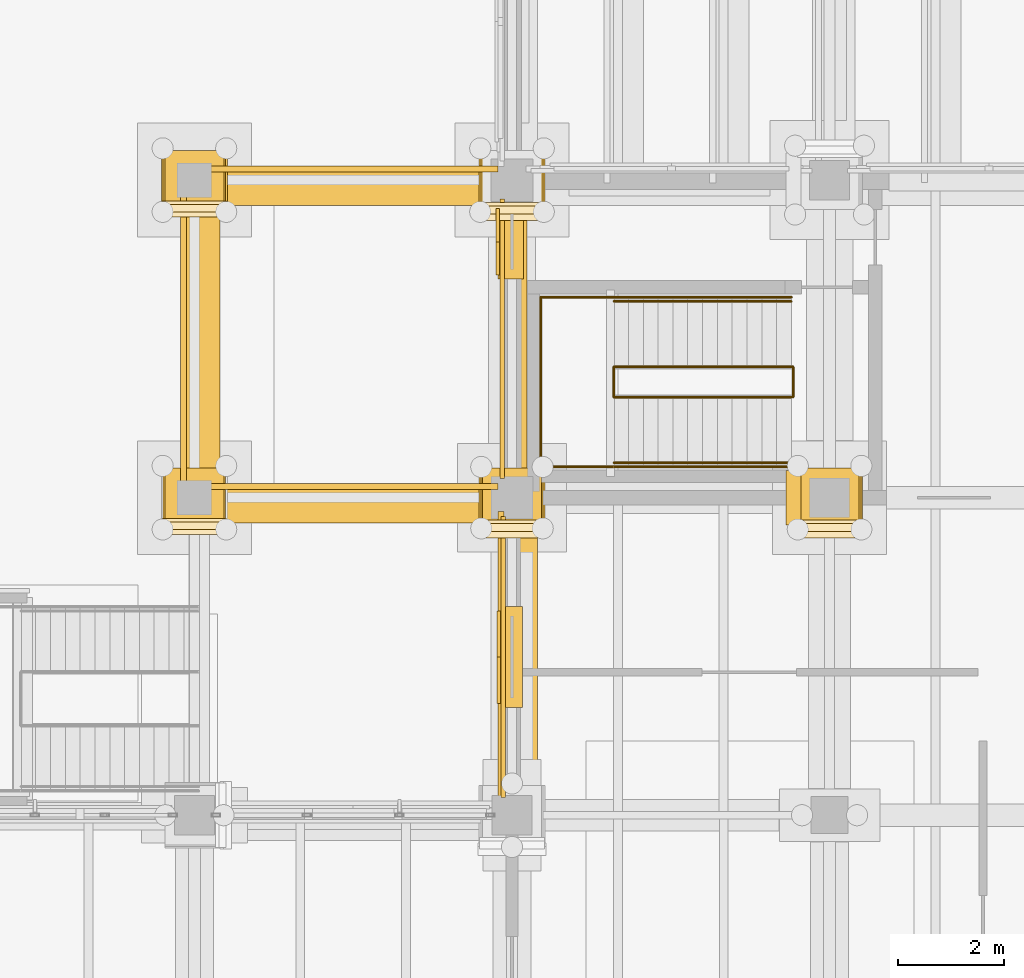
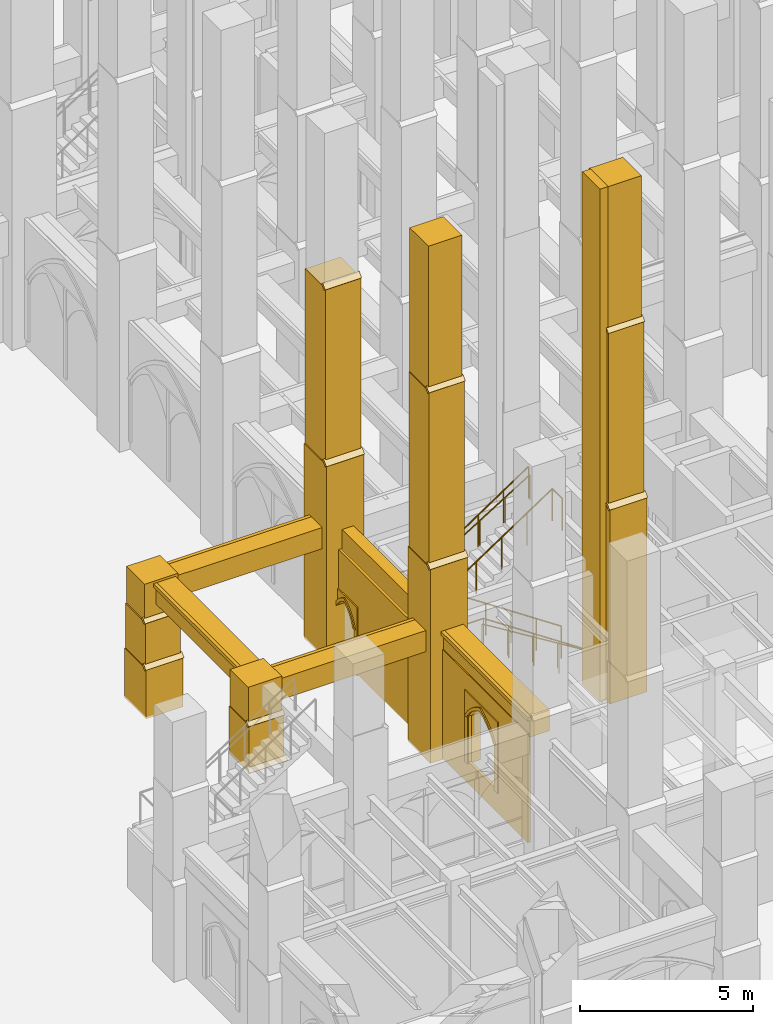
# One storey, part 106 of 135: 39 coverings, 6 railings.
"""IFC4 building model written with IfcOpenShell, lengths in metres."""

import ifcopenshell
import ifcopenshell.guid

model = None  # the IFC model being written
_history = None  # IfcOwnerHistory: only IFC2X3 demands one
_inside = {}  # id of a spatial element -> (the spatial element, [elements in it])
_under = {}  # id of a project, library or spatial element -> (it, [spatial elements below it])
_declared = {}  # id of a project -> (the project, [libraries it declares])
_typed = {}  # id of a type object -> (the type object, [elements of that type])
_made_of = {}  # id of a material, layer set ... -> (it, [elements and type objects made of it])


def new_model(schema):
    """Start an empty IFC model of exactly this schema.

    Asked for "IFC4X3", IfcOpenShell would pick the latest addendum, in which some entities
    have other attributes; the version numbers below select the first issue.
    IFC2X3 requires an IfcOwnerHistory on every rooted entity: one is made here for all.
    """
    global model, _history
    if schema == "IFC4X3":
        model = ifcopenshell.file(schema_version=(4, 3, 0, 0))
    else:
        model = ifcopenshell.file(schema=schema)
    _inside.clear()
    _under.clear()
    _declared.clear()
    _typed.clear()
    _made_of.clear()
    _history = None
    if model.schema == "IFC2X3":
        org = make("IfcOrganization", Name="unknown")
        user = make(
            "IfcPersonAndOrganization",
            ThePerson=make("IfcPerson", FamilyName="unknown"),
            TheOrganization=org,
        )
        app = make(
            "IfcApplication",
            ApplicationDeveloper=org,
            Version="unknown",
            ApplicationFullName="unknown",
            ApplicationIdentifier="unknown",
        )
        _history = make(
            "IfcOwnerHistory",
            OwningUser=user,
            OwningApplication=app,
            ChangeAction="ADDED",
            CreationDate=0,
        )
    return model


def make(cls, **values):
    """One entity of the class cls with the attributes given. An attribute that is None is left unset."""
    return model.create_entity(
        cls, **{name: value for name, value in values.items() if value is not None}
    )


def rooted(cls, **values):
    """An entity with a GlobalId (a new one), such as an element, a storey or a relation."""
    return make(cls, GlobalId=ifcopenshell.guid.new(), OwnerHistory=_history, **values)


def si_unit(unit_type, name, prefix=None):
    """IfcSIUnit, for example si_unit("LENGTHUNIT", "METRE", prefix="MILLI")."""
    return make("IfcSIUnit", UnitType=unit_type, Prefix=prefix, Name=name)


def assignment(units):
    """IfcUnitAssignment: the units of a project."""
    return None if units is None else make("IfcUnitAssignment", Units=units)


def point(xyz):
    """IfcCartesianPoint."""
    return None if xyz is None else make("IfcCartesianPoint", Coordinates=xyz)


def direction(xyz):
    """IfcDirection."""
    return None if xyz is None else make("IfcDirection", DirectionRatios=xyz)


def frame(location, z_axis=None, x_axis=None):
    """IfcAxis2Placement3D, a coordinate frame: its origin and axes. An axis left out is left unset."""
    return make(
        "IfcAxis2Placement3D",
        Location=point(location),
        Axis=direction(z_axis),
        RefDirection=direction(x_axis),
    )


def frame_2d(location, x_axis=None):
    """IfcAxis2Placement2D, a coordinate frame in the plane: its origin and x axis."""
    return make(
        "IfcAxis2Placement2D", Location=point(location), RefDirection=direction(x_axis)
    )


def origin():
    """The frame at (0, 0, 0) with its axes left unset."""
    return frame((0.0, 0.0, 0.0))


def origin_2d():
    """The frame at (0, 0) in the plane with its x axis left unset."""
    return frame_2d((0.0, 0.0))


def place(relative_to, where):
    """IfcLocalPlacement: puts the frame where relative to a parent placement (None: the world)."""
    return make(
        "IfcLocalPlacement", PlacementRelTo=relative_to, RelativePlacement=where
    )


def context(
    kind, dimensions, precision=None, world=None, true_north=None, identifier=None
):
    """IfcGeometricRepresentationContext, for example the 3D "Model" context."""
    return make(
        "IfcGeometricRepresentationContext",
        ContextIdentifier=identifier,
        ContextType=kind,
        CoordinateSpaceDimension=dimensions,
        Precision=precision,
        WorldCoordinateSystem=world,
        TrueNorth=true_north,
    )


def subcontext(parent, identifier, kind, view, scale=None):
    """IfcGeometricRepresentationSubContext, for example "Body" below "Model"."""
    return make(
        "IfcGeometricRepresentationSubContext",
        ContextIdentifier=identifier,
        ContextType=kind,
        ParentContext=parent,
        TargetScale=scale,
        TargetView=view,
    )


def project(units=None, contexts=None):
    """IfcProject with its units and contexts."""
    return rooted(
        "IfcProject",
        Name="project",
        RepresentationContexts=contexts,
        UnitsInContext=assignment(units),
    )


def spatial(cls, under=None, at=None, **own):
    """A site, building, storey or space (cls), placed at a placement, below another one or the project."""
    s = rooted(cls, ObjectPlacement=at, **own)
    if under is not None:
        _under.setdefault(under.id(), (under, []))[1].append(s)
    return s


def polyline(points):
    """IfcPolyline through the points."""
    return make("IfcPolyline", Points=[point(p) for p in points])


def profile(cls, at=None, kind="AREA", **sizes):
    """A parametric profile (cls). Its sizes go by their IFC names, for example OverallWidth=200.0."""
    return make(cls, ProfileType=kind, Position=at, **sizes)


def rectangle(**sizes):
    """IfcRectangleProfileDef."""
    return profile("IfcRectangleProfileDef", **sizes)


def circle(**sizes):
    """IfcCircleProfileDef."""
    return profile("IfcCircleProfileDef", **sizes)


def outline(outer, holes=None, kind="AREA"):
    """IfcArbitraryClosedProfileDef: a profile drawn as a closed curve; with holes, ...WithVoids."""
    if holes is None:
        return make("IfcArbitraryClosedProfileDef", ProfileType=kind, OuterCurve=outer)
    return make(
        "IfcArbitraryProfileDefWithVoids",
        ProfileType=kind,
        OuterCurve=outer,
        InnerCurves=holes,
    )


def extrude(swept, where, along, depth):
    """IfcExtrudedAreaSolid: the profile swept, set in the frame where, extruded along a direction by depth."""
    return make(
        "IfcExtrudedAreaSolid",
        SweptArea=swept,
        Position=where,
        ExtrudedDirection=direction(along),
        Depth=depth,
    )


def shape(context_of_items, identifier, shape_type, items):
    """IfcShapeRepresentation: the items that make up one representation, for example the "Body"."""
    return make(
        "IfcShapeRepresentation",
        ContextOfItems=context_of_items,
        RepresentationIdentifier=identifier,
        RepresentationType=shape_type,
        Items=items,
    )


def material(Name=None, Category=None):
    """IfcMaterial."""
    return make("IfcMaterial", Name=Name, Category=Category)


def made_of(thing, what):
    """Note that an element or type object is made of a material, layer set ...; save() writes the relation."""
    if what is not None:
        _made_of.setdefault(what.id(), (what, []))[1].append(thing)
    return thing


def type_object(cls, material=None, **own):
    """A type object (cls), such as IfcWallType, which elements share."""
    return made_of(rooted(cls, **own), material)


def element(
    cls,
    number,
    at=None,
    inside=None,
    cuts=None,
    type_object=None,
    material=None,
    context=None,
    identifier="Body",
    shape_type=None,
    held_by="IfcProductDefinitionShape",
    body=None,
    shapes=None,
    **own,
):
    """One element of the class cls, such as IfcWall. Its Tag is "e" and its number.

    at: its placement. inside: the storey or other place that contains it. cuts: it is an
    opening in that element (IfcRelVoidsElement). A single representation is given by context,
    identifier, shape_type and body (its items); several are given by shapes. held_by: the class
    of the entity that holds the representations. save() writes the other relations.
    """
    e = rooted(cls, Tag="e%d" % number, ObjectPlacement=at, **own)
    if body is not None:
        shapes = [shape(context, identifier, shape_type, body)]
    if shapes is not None:
        e.Representation = make(held_by, Representations=shapes)
    if inside is not None:
        _inside.setdefault(inside.id(), (inside, []))[1].append(e)
    if cuts is not None:
        rooted(
            "IfcRelVoidsElement", RelatingBuildingElement=cuts, RelatedOpeningElement=e
        )
    if type_object is not None:
        _typed.setdefault(type_object.id(), (type_object, []))[1].append(e)
    return made_of(e, material)


def aggregate(whole, parts):
    """IfcRelAggregates: a whole, such as a stair, and the parts it consists of."""
    return rooted("IfcRelAggregates", RelatingObject=whole, RelatedObjects=parts)


def save(model, path):
    """Write the relations noted so far, then the file.

    IfcRelAggregates (storeys below a building ...), IfcRelContainedInSpatialStructure (elements
    in a storey), IfcRelDefinesByType, IfcRelAssociatesMaterial and IfcRelDeclares: one each for
    every whole, place, type object, material and project.
    """
    for whole, parts in _under.values():
        aggregate(whole, parts)
    for where, things in _inside.values():
        rooted(
            "IfcRelContainedInSpatialStructure",
            RelatedElements=things,
            RelatingStructure=where,
        )
    for kind, things in _typed.values():
        rooted("IfcRelDefinesByType", RelatedObjects=things, RelatingType=kind)
    for what, things in _made_of.values():
        rooted("IfcRelAssociatesMaterial", RelatedObjects=things, RelatingMaterial=what)
    for by, libraries in _declared.values():
        rooted("IfcRelDeclares", RelatingContext=by, RelatedDefinitions=libraries)
    model.write(path)


model = new_model("IFC4")

# Units and contexts
model_context = context("Model", 3, precision=1e-05, world=origin(), true_north=direction((0.0, 1.0)))
body_context = subcontext(model_context, "Body", "Model", "MODEL_VIEW")
ifc_project = project(units=[si_unit("LENGTHUNIT", "METRE"), si_unit("AREAUNIT", "SQUARE_METRE"), si_unit("VOLUMEUNIT", "CUBIC_METRE"), si_unit("PLANEANGLEUNIT", "RADIAN"), si_unit("MASSUNIT", "GRAM", prefix="KILO")], contexts=[model_context])

# Site, building, storey
site_placement = place(None, origin())
site = spatial("IfcSite", under=ifc_project, at=site_placement, CompositionType="ELEMENT")
building_placement = place(site_placement, origin())
building = spatial("IfcBuilding", under=site, at=building_placement, Name="Cumevento Cable Car Station", CompositionType="ELEMENT")
storey_placement = place(building_placement, origin())
storey = spatial("IfcBuildingStorey", under=building, at=storey_placement, Name="L01", CompositionType="ELEMENT", Elevation=0.0)

# Railings
ifc_material_1 = material(Name="Painted Galvanised Architectural Steel", Category="steel")
railing_type_1 = type_object("IfcRailingType", Name="Stair Guardrail GR-S115", PredefinedType="GUARDRAIL", material=ifc_material_1)
railing_1_placement = place(storey_placement, frame((123.280029296875, 22.89990234375, 0.0)))
element("IfcRailing", 1, at=railing_1_placement, inside=storey, type_object=railing_type_1, Name="Stair Well Inner Guardrail ST-05-L01", PredefinedType="GUARDRAIL", context=body_context, shape_type="SweptSolid", body=[
    extrude(circle(Radius=0.02392578125, at=origin_2d()), frame((0.0, 0.0, 1.1259765625), z_axis=(-0.830915400975, 0.0, 0.556398774641), x_axis=(0.0, -1.0, 0.0)), (0.0, 0.0, 1.0), 4.0439453125),
    extrude(circle(Radius=0.02392578125, at=origin_2d()), frame((-3.360107421875, 0.0, 3.3759765625), z_axis=(0.0, 1.0, 0.0), x_axis=(-1.0, 0.0, 0.0)), (0.0, 0.0, 1.0), 0.570068359375),
    extrude(circle(Radius=0.02392578125, at=origin_2d()), frame((-3.360107421875, 0.570068359375, 3.3759765625), z_axis=(0.833193183746, 0.0, 0.552982023722), x_axis=(0.0, 1.0, 0.0)), (0.0, 0.0, 1.0), 4.06884765625),
    extrude(circle(Radius=0.02392578125, at=origin_2d()), frame((0.030029296875, 0.570068359375, 5.6259765625), z_axis=(0.0, -1.0, 0.0), x_axis=(1.0, 0.0, 0.0)), (0.0, 0.0, 1.0), 0.570068359375),
    extrude(circle(Radius=0.02001953125, at=origin_2d()), origin(), (0.0, 0.0, 1.0), 1.101806640625),
    extrude(circle(Radius=0.02001953125, at=origin_2d()), frame((-0.840087890625, 0.0, 0.5625)), (0.0, 0.0, 1.0), 1.101806640625),
    extrude(circle(Radius=0.02001953125, at=origin_2d()), frame((-1.68017578125, 0.0, 1.125)), (0.0, 0.0, 1.0), 1.101806640625),
    extrude(circle(Radius=0.02001953125, at=origin_2d()), frame((-2.52001953125, 0.0, 1.6875)), (0.0, 0.0, 1.0), 1.101806640625),
    extrude(circle(Radius=0.02001953125, at=origin_2d()), frame((-3.360107421875, 0.0, 2.25)), (0.0, 0.0, 1.0), 1.101806640625),
    extrude(circle(Radius=0.02001953125, at=origin_2d()), frame((-3.360107421875, 0.570068359375, 2.25)), (0.0, 0.0, 1.0), 1.101806640625),
    extrude(circle(Radius=0.02001953125, at=origin_2d()), frame((-2.5126953125, 0.570068359375, 2.8125)), (0.0, 0.0, 1.0), 1.101806640625),
    extrude(circle(Radius=0.02001953125, at=origin_2d()), frame((-1.6650390625, 0.570068359375, 3.375)), (0.0, 0.0, 1.0), 1.101806640625),
    extrude(circle(Radius=0.02001953125, at=origin_2d()), frame((-0.8173828125, 0.570068359375, 3.9375)), (0.0, 0.0, 1.0), 1.101806640625),
    extrude(circle(Radius=0.02001953125, at=origin_2d()), frame((0.030029296875, 0.570068359375, 4.5)), (0.0, 0.0, 1.0), 1.101806640625),
    extrude(circle(Radius=0.02001953125, at=origin_2d()), frame((0.030029296875, 0.0, 4.5)), (0.0, 0.0, 1.0), 1.101806640625),
])
railing_2_placement = place(storey_placement, frame((119.919921875, 21.580078125, 2.25)))
element("IfcRailing", 2, at=railing_2_placement, inside=storey, type_object=railing_type_1, Name="Stair Half-Landing Guardrail ST-05-L01", PredefinedType="GUARDRAIL", context=body_context, shape_type="SweptSolid", body=[
    extrude(circle(Radius=0.02392578125, at=origin_2d()), frame((0.0, 0.0, 1.1259765625), z_axis=(-1.0, 0.0, 0.0), x_axis=(0.0, -1.0, 0.0)), (0.0, 0.0, 1.0), 1.3798828125),
    extrude(circle(Radius=0.02392578125, at=origin_2d()), frame((-1.3798828125, 0.0, 1.1259765625), z_axis=(0.0, 1.0, 0.0), x_axis=(-1.0, 0.0, 0.0)), (0.0, 0.0, 1.0), 3.2099609375),
    extrude(circle(Radius=0.02392578125, at=origin_2d()), frame((-1.3798828125, 3.2099609375, 1.1259765625), z_axis=(1.0, 0.0, 0.0), x_axis=(0.0, 1.0, 0.0)), (0.0, 0.0, 1.0), 1.3798828125),
    extrude(circle(Radius=0.02001953125, at=origin_2d()), origin(), (0.0, 0.0, 1.0), 1.101806640625),
    extrude(circle(Radius=0.02001953125, at=origin_2d()), frame((-0.68994140625, 0.0, 0.0)), (0.0, 0.0, 1.0), 1.101806640625),
    extrude(circle(Radius=0.02001953125, at=origin_2d()), frame((-1.3798828125, 0.0, 0.0)), (0.0, 0.0, 1.0), 1.101806640625),
    extrude(circle(Radius=0.02001953125, at=origin_2d()), frame((-1.3798828125, 0.802490234375, 0.0)), (0.0, 0.0, 1.0), 1.101806640625),
    extrude(circle(Radius=0.02001953125, at=origin_2d()), frame((-1.3798828125, 1.60498046875, 0.0)), (0.0, 0.0, 1.0), 1.101806640625),
    extrude(circle(Radius=0.02001953125, at=origin_2d()), frame((-1.3798828125, 2.407470703125, 0.0)), (0.0, 0.0, 1.0), 1.101806640625),
    extrude(circle(Radius=0.02001953125, at=origin_2d()), frame((-1.3798828125, 3.2099609375, 0.0)), (0.0, 0.0, 1.0), 1.101806640625),
    extrude(circle(Radius=0.02001953125, at=origin_2d()), frame((-0.68994140625, 3.2099609375, 0.0)), (0.0, 0.0, 1.0), 1.101806640625),
    extrude(circle(Radius=0.02001953125, at=origin_2d()), frame((0.0, 3.2099609375, 0.0)), (0.0, 0.0, 1.0), 1.101806640625),
])
railing_3_placement = place(storey_placement, frame((123.280029296875, 21.580078125, 0.0)))
element("IfcRailing", 3, at=railing_3_placement, inside=storey, type_object=railing_type_1, Name="Stair Outer Guardrail ST-05-L01 F1", PredefinedType="GUARDRAIL", context=body_context, shape_type="SweptSolid", body=[
    extrude(circle(Radius=0.02392578125, at=origin_2d()), frame((0.0, 0.0, 1.1259765625), z_axis=(-0.830915400975, 0.0, 0.556398774641), x_axis=(0.0, -1.0, 0.0)), (0.0, 0.0, 1.0), 4.0439453125),
    extrude(circle(Radius=0.02001953125, at=origin_2d()), origin(), (0.0, 0.0, 1.0), 1.101806640625),
    extrude(circle(Radius=0.02001953125, at=origin_2d()), frame((-0.840087890625, 0.0, 0.5625)), (0.0, 0.0, 1.0), 1.101806640625),
    extrude(circle(Radius=0.02001953125, at=origin_2d()), frame((-1.68017578125, 0.0, 1.125)), (0.0, 0.0, 1.0), 1.101806640625),
    extrude(circle(Radius=0.02001953125, at=origin_2d()), frame((-2.52001953125, 0.0, 1.6875)), (0.0, 0.0, 1.0), 1.101806640625),
    extrude(circle(Radius=0.02001953125, at=origin_2d()), frame((-3.360107421875, 0.0, 2.25)), (0.0, 0.0, 1.0), 1.101806640625),
])
railing_4_placement = place(storey_placement, frame((119.919921875, 24.7900390625, 2.25)))
element("IfcRailing", 4, at=railing_4_placement, inside=storey, type_object=railing_type_1, Name="Stair Outer Guardrail ST-05-L01 F2", PredefinedType="GUARDRAIL", context=body_context, shape_type="SweptSolid", body=[
    extrude(circle(Radius=0.02392578125, at=origin_2d()), frame((0.0, 0.0, 1.1259765625), z_axis=(0.830915400975, 0.0, 0.556398774641), x_axis=(0.0, 1.0, 0.0)), (0.0, 0.0, 1.0), 4.0439453125),
    extrude(circle(Radius=0.02001953125, at=origin_2d()), origin(), (0.0, 0.0, 1.0), 1.101806640625),
    extrude(circle(Radius=0.02001953125, at=origin_2d()), frame((0.840087890625, 0.0, 0.5625)), (0.0, 0.0, 1.0), 1.101806640625),
    extrude(circle(Radius=0.02001953125, at=origin_2d()), frame((1.68017578125, 0.0, 1.125)), (0.0, 0.0, 1.0), 1.101806640625),
    extrude(circle(Radius=0.02001953125, at=origin_2d()), frame((2.52001953125, 0.0, 1.6875)), (0.0, 0.0, 1.0), 1.101806640625),
    extrude(circle(Radius=0.02001953125, at=origin_2d()), frame((3.360107421875, 0.0, 2.25)), (0.0, 0.0, 1.0), 1.101806640625),
])
ifc_material_2 = material(Name="Brushed Stainless Steel Handrail Tube", Category="steel")
railing_type_2 = type_object("IfcRailingType", Name="Stair Handrail HR-090", PredefinedType="HANDRAIL", material=ifc_material_2)
railing_5_placement = place(storey_placement, frame((123.280029296875, 21.659912109375, 0.17626953125)))
element("IfcRailing", 5, at=railing_5_placement, inside=storey, type_object=railing_type_2, Name="Stair Pitch Handrail ST-05-L01 F1", PredefinedType="HANDRAIL", context=body_context, shape_type="SweptSolid", body=[
    extrude(circle(Radius=0.02099609375, at=origin_2d()), frame((0.0, 0.0, 0.87890625), z_axis=(-0.850623216509, 0.0, 0.525775754039), x_axis=(0.0, -1.0, 0.0)), (0.0, 0.0, 1.0), 3.9501953125),
    extrude(circle(Radius=0.01611328125, at=origin_2d()), origin(), (0.0, 0.0, 1.0), 0.85791015625),
    extrude(circle(Radius=0.01611328125, at=origin_2d()), frame((-0.840087890625, 0.0, 0.519287109375)), (0.0, 0.0, 1.0), 0.85791015625),
    extrude(circle(Radius=0.01611328125, at=origin_2d()), frame((-1.68017578125, 0.0, 1.03857421875)), (0.0, 0.0, 1.0), 0.85791015625),
    extrude(circle(Radius=0.01611328125, at=origin_2d()), frame((-2.52001953125, 0.0, 1.5576171875)), (0.0, 0.0, 1.0), 0.85791015625),
    extrude(circle(Radius=0.01611328125, at=origin_2d()), frame((-3.360107421875, 0.0, 2.076904296875)), (0.0, 0.0, 1.0), 0.85791015625),
])
railing_6_placement = place(storey_placement, frame((119.919921875, 24.7099609375, 2.42626953125)))
element("IfcRailing", 6, at=railing_6_placement, inside=storey, type_object=railing_type_2, Name="Stair Pitch Handrail ST-05-L01 F2", PredefinedType="HANDRAIL", context=body_context, shape_type="SweptSolid", body=[
    extrude(circle(Radius=0.02099609375, at=origin_2d()), frame((0.0, 0.0, 0.87890625), z_axis=(0.850623216509, 0.0, 0.525775754039), x_axis=(0.0, 1.0, 0.0)), (0.0, 0.0, 1.0), 3.9501953125),
    extrude(circle(Radius=0.01611328125, at=origin_2d()), origin(), (0.0, 0.0, 1.0), 0.85791015625),
    extrude(circle(Radius=0.01611328125, at=origin_2d()), frame((0.840087890625, 0.0, 0.519287109375)), (0.0, 0.0, 1.0), 0.85791015625),
    extrude(circle(Radius=0.01611328125, at=origin_2d()), frame((1.68017578125, 0.0, 1.03857421875)), (0.0, 0.0, 1.0), 0.85791015625),
    extrude(circle(Radius=0.01611328125, at=origin_2d()), frame((2.52001953125, 0.0, 1.5576171875)), (0.0, 0.0, 1.0), 0.85791015625),
    extrude(circle(Radius=0.01611328125, at=origin_2d()), frame((3.360107421875, 0.0, 2.076904296875)), (0.0, 0.0, 1.0), 0.85791015625),
])

# Coverings
ifc_material_3 = material(Name="Gnaisse Facoidal Stone Ashlar 85 MPa", Category="masonry")
covering_type = type_object("IfcCoveringType", Name="Gnaisse Ashlar Cladding CV-CL01", PredefinedType="CLADDING", material=ifc_material_3)
covering_1_placement = place(storey_placement, frame((111.360107421875, 20.300048828125, 1.675537109375), z_axis=(0.0, -0.714474823669, 0.699661151089), x_axis=(1.0, 0.0, 0.0)))
element("IfcCovering", 7, at=covering_1_placement, inside=storey, type_object=covering_type, Name="Gothic Buttress Sloped Stone Weathering 1 bt:112.0:21.0", PredefinedType="CLADDING", context=body_context, shape_type="SweptSolid", body=[
    extrude(outline(polyline([(0.0, 0.0), (1.27978515625, 0.0), (1.27978515625, 0.21424991728737658), (0.0, 0.21424991728737658), (0.0, 0.0)])), origin(), (0.0, 0.0, -1.0), 0.090087890625),
])
covering_2_placement = place(storey_placement, frame((112.0, 20.989990234375, 1.603271484375), z_axis=(0.0, 0.0, 1.0), x_axis=(1.0, 0.0, 0.0)))
element("IfcCovering", 8, at=covering_2_placement, inside=storey, type_object=covering_type, Name="Stepped Gothic Stone Buttress Tier 2 bt:112.0:21.0", PredefinedType="CLADDING", context=body_context, shape_type="SweptSolid", body=[
    extrude(rectangle(XDim=1.179931640625, YDim=1.139892578125, at=origin_2d()), origin(), (0.0, 0.0, 1.0), 1.6630859375),
])
covering_3_placement = place(storey_placement, frame((111.389892578125, 20.39990234375, 3.246337890625), z_axis=(0.0, -0.715574205881, 0.698536724788), x_axis=(1.0, 0.0, 0.0)))
element("IfcCovering", 9, at=covering_3_placement, inside=storey, type_object=covering_type, Name="Gothic Buttress Sloped Stone Weathering 2 bt:112.0:21.0", PredefinedType="CLADDING", context=body_context, shape_type="SweptSolid", body=[
    extrude(outline(polyline([(0.0, 0.0), (1.22021484375, 0.0), (1.22021484375, 0.2006146760464928), (0.0, 0.2006146760464928), (0.0, 0.0)])), origin(), (0.0, 0.0, -1.0), 0.090087890625),
])
covering_4_placement = place(storey_placement, frame((112.0, 21.034912109375, 3.173828125), z_axis=(0.0, 0.0, 1.0), x_axis=(1.0, 0.0, 0.0)))
element("IfcCovering", 10, at=covering_4_placement, inside=storey, type_object=covering_type, Name="Stepped Gothic Stone Buttress Tier 3 bt:112.0:21.0", PredefinedType="CLADDING", context=body_context, shape_type="SweptSolid", body=[
    extrude(rectangle(XDim=1.1201171875, YDim=1.050048828125, at=origin_2d()), origin(), (0.0, 0.0, 1.0), 1.385986328125),
])
covering_5_placement = place(storey_placement, frame((112.0, 26.93994140625, -0.06005859375), z_axis=(0.0, 0.0, 1.0), x_axis=(1.0, 0.0, 0.0)))
element("IfcCovering", 11, at=covering_5_placement, inside=storey, type_object=covering_type, Name="Stepped Gothic Stone Buttress Tier 1 bt:112.0:27.0", PredefinedType="CLADDING", context=body_context, shape_type="SweptSolid", body=[
    extrude(rectangle(XDim=1.239990234375, YDim=1.239990234375, at=origin_2d()), origin(), (0.0, 0.0, 1.0), 1.755615234375),
])
covering_6_placement = place(storey_placement, frame((111.360107421875, 26.300048828125, 1.675537109375), z_axis=(0.0, -0.714474823669, 0.699661151089), x_axis=(1.0, 0.0, 0.0)))
element("IfcCovering", 12, at=covering_6_placement, inside=storey, type_object=covering_type, Name="Gothic Buttress Sloped Stone Weathering 1 bt:112.0:27.0", PredefinedType="CLADDING", context=body_context, shape_type="SweptSolid", body=[
    extrude(outline(polyline([(0.0, 0.0), (1.27978515625, 0.0), (1.27978515625, 0.21424991728737658), (0.0, 0.21424991728737658), (0.0, 0.0)])), origin(), (0.0, 0.0, -1.0), 0.090087890625),
])
covering_7_placement = place(storey_placement, frame((112.0, 26.989990234375, 1.603271484375), z_axis=(0.0, 0.0, 1.0), x_axis=(1.0, 0.0, 0.0)))
element("IfcCovering", 13, at=covering_7_placement, inside=storey, type_object=covering_type, Name="Stepped Gothic Stone Buttress Tier 2 bt:112.0:27.0", PredefinedType="CLADDING", context=body_context, shape_type="SweptSolid", body=[
    extrude(rectangle(XDim=1.179931640625, YDim=1.139892578125, at=origin_2d()), origin(), (0.0, 0.0, 1.0), 1.6630859375),
])
covering_8_placement = place(storey_placement, frame((111.389892578125, 26.39990234375, 3.246337890625), z_axis=(0.0, -0.715574205881, 0.698536724788), x_axis=(1.0, 0.0, 0.0)))
element("IfcCovering", 14, at=covering_8_placement, inside=storey, type_object=covering_type, Name="Gothic Buttress Sloped Stone Weathering 2 bt:112.0:27.0", PredefinedType="CLADDING", context=body_context, shape_type="SweptSolid", body=[
    extrude(outline(polyline([(0.0, 0.0), (1.22021484375, 0.0), (1.22021484375, 0.2006146760464928), (0.0, 0.2006146760464928), (0.0, 0.0)])), origin(), (0.0, 0.0, -1.0), 0.090087890625),
])
covering_9_placement = place(storey_placement, frame((112.0, 27.034912109375, 3.173828125), z_axis=(0.0, 0.0, 1.0), x_axis=(1.0, 0.0, 0.0)))
element("IfcCovering", 15, at=covering_9_placement, inside=storey, type_object=covering_type, Name="Stepped Gothic Stone Buttress Tier 3 bt:112.0:27.0", PredefinedType="CLADDING", context=body_context, shape_type="SweptSolid", body=[
    extrude(rectangle(XDim=1.1201171875, YDim=1.050048828125, at=origin_2d()), origin(), (0.0, 0.0, 1.0), 1.385986328125),
])
covering_10_placement = place(storey_placement, frame((118.0, 20.909912109375, -0.06005859375), z_axis=(0.0, 0.0, 1.0), x_axis=(1.0, 0.0, 0.0)))
element("IfcCovering", 16, at=covering_10_placement, inside=storey, type_object=covering_type, Name="Stepped Gothic Stone Buttress Tier 1 bt:118.0:21.0", PredefinedType="CLADDING", context=body_context, shape_type="SweptSolid", body=[
    extrude(rectangle(XDim=1.239990234375, YDim=1.300048828125, at=origin_2d()), origin(), (0.0, 0.0, 1.0), 6.885498046875),
])
covering_11_placement = place(storey_placement, frame((117.360107421875, 20.239990234375, 6.8056640625), z_axis=(0.0, -0.711135781079, 0.703054692658), x_axis=(1.0, 0.0, 0.0)))
element("IfcCovering", 17, at=covering_11_placement, inside=storey, type_object=covering_type, Name="Gothic Buttress Sloped Stone Weathering 1 bt:118.0:21.0", PredefinedType="CLADDING", context=body_context, shape_type="SweptSolid", body=[
    extrude(outline(polyline([(0.0, 0.0), (1.27978515625, 0.0), (1.27978515625, 0.24169083397703695), (0.0, 0.24169083397703695), (0.0, 0.0)])), origin(), (0.0, 0.0, -1.0), 0.090087890625),
])
covering_12_placement = place(storey_placement, frame((118.0, 20.969970703125, 6.46337890625), z_axis=(0.0, 0.0, 1.0), x_axis=(1.0, 0.0, 0.0)))
element("IfcCovering", 18, at=covering_12_placement, inside=storey, type_object=covering_type, Name="Stepped Gothic Stone Buttress Tier 2 bt:118.0:21.0", PredefinedType="CLADDING", context=body_context, shape_type="SweptSolid", body=[
    extrude(rectangle(XDim=1.179931640625, YDim=1.179931640625, at=origin_2d()), origin(), (0.0, 0.0, 1.0), 6.523193359375),
])
covering_13_placement = place(storey_placement, frame((117.389892578125, 20.360107421875, 12.96630859375), z_axis=(0.0, -0.714474823669, 0.699661151089), x_axis=(1.0, 0.0, 0.0)))
element("IfcCovering", 19, at=covering_13_placement, inside=storey, type_object=covering_type, Name="Gothic Buttress Sloped Stone Weathering 2 bt:118.0:21.0", PredefinedType="CLADDING", context=body_context, shape_type="SweptSolid", body=[
    extrude(outline(polyline([(0.0, 0.0), (1.22021484375, 0.0), (1.22021484375, 0.21424991728737655), (0.0, 0.21424991728737655), (0.0, 0.0)])), origin(), (0.0, 0.0, -1.0), 0.090087890625),
])
covering_14_placement = place(storey_placement, frame((118.0, 21.02001953125, 12.6240234375), z_axis=(0.0, 0.0, 1.0), x_axis=(1.0, 0.0, 0.0)))
element("IfcCovering", 20, at=covering_14_placement, inside=storey, type_object=covering_type, Name="Stepped Gothic Stone Buttress Tier 3 bt:118.0:21.0", PredefinedType="CLADDING", context=body_context, shape_type="SweptSolid", body=[
    extrude(rectangle(XDim=1.1201171875, YDim=1.080078125, at=origin_2d()), origin(), (0.0, 0.0, 1.0), 5.43603515625),
])
covering_15_placement = place(storey_placement, frame((118.0, 26.909912109375, -0.06005859375), z_axis=(0.0, 0.0, 1.0), x_axis=(1.0, 0.0, 0.0)))
element("IfcCovering", 21, at=covering_15_placement, inside=storey, type_object=covering_type, Name="Stepped Gothic Stone Buttress Tier 1 bt:118.0:27.0", PredefinedType="CLADDING", context=body_context, shape_type="SweptSolid", body=[
    extrude(rectangle(XDim=1.239990234375, YDim=1.300048828125, at=origin_2d()), origin(), (0.0, 0.0, 1.0), 6.885498046875),
])
covering_16_placement = place(storey_placement, frame((117.360107421875, 26.239990234375, 6.8056640625), z_axis=(0.0, -0.711135781079, 0.703054692658), x_axis=(1.0, 0.0, 0.0)))
element("IfcCovering", 22, at=covering_16_placement, inside=storey, type_object=covering_type, Name="Gothic Buttress Sloped Stone Weathering 1 bt:118.0:27.0", PredefinedType="CLADDING", context=body_context, shape_type="SweptSolid", body=[
    extrude(outline(polyline([(0.0, 0.0), (1.27978515625, 0.0), (1.27978515625, 0.24169083397703695), (0.0, 0.24169083397703695), (0.0, 0.0)])), origin(), (0.0, 0.0, -1.0), 0.090087890625),
])
covering_17_placement = place(storey_placement, frame((118.0, 26.969970703125, 6.46337890625), z_axis=(0.0, 0.0, 1.0), x_axis=(1.0, 0.0, 0.0)))
element("IfcCovering", 23, at=covering_17_placement, inside=storey, type_object=covering_type, Name="Stepped Gothic Stone Buttress Tier 2 bt:118.0:27.0", PredefinedType="CLADDING", context=body_context, shape_type="SweptSolid", body=[
    extrude(rectangle(XDim=1.179931640625, YDim=1.179931640625, at=origin_2d()), origin(), (0.0, 0.0, 1.0), 6.523193359375),
])
covering_18_placement = place(storey_placement, frame((117.389892578125, 26.360107421875, 12.96630859375), z_axis=(0.0, -0.714474823669, 0.699661151089), x_axis=(1.0, 0.0, 0.0)))
element("IfcCovering", 24, at=covering_18_placement, inside=storey, type_object=covering_type, Name="Gothic Buttress Sloped Stone Weathering 2 bt:118.0:27.0", PredefinedType="CLADDING", context=body_context, shape_type="SweptSolid", body=[
    extrude(outline(polyline([(0.0, 0.0), (1.22021484375, 0.0), (1.22021484375, 0.21424991728737655), (0.0, 0.21424991728737655), (0.0, 0.0)])), origin(), (0.0, 0.0, -1.0), 0.090087890625),
])
covering_19_placement = place(storey_placement, frame((124.0, 20.909912109375, -0.06005859375), z_axis=(0.0, 0.0, 1.0), x_axis=(1.0, 0.0, 0.0)))
element("IfcCovering", 25, at=covering_19_placement, inside=storey, type_object=covering_type, Name="Stepped Gothic Stone Buttress Tier 1 bt:124.0:21.0", PredefinedType="CLADDING", context=body_context, shape_type="SweptSolid", body=[
    extrude(rectangle(XDim=1.239990234375, YDim=1.300048828125, at=origin_2d()), origin(), (0.0, 0.0, 1.0), 6.885498046875),
])
covering_20_placement = place(storey_placement, frame((123.360107421875, 20.239990234375, 6.8056640625), z_axis=(0.0, -0.711135781079, 0.703054692658), x_axis=(1.0, 0.0, 0.0)))
element("IfcCovering", 26, at=covering_20_placement, inside=storey, type_object=covering_type, Name="Gothic Buttress Sloped Stone Weathering 1 bt:124.0:21.0", PredefinedType="CLADDING", context=body_context, shape_type="SweptSolid", body=[
    extrude(outline(polyline([(0.0, 0.0), (1.27978515625, 0.0), (1.27978515625, 0.24169083397703695), (0.0, 0.24169083397703695), (0.0, 0.0)])), origin(), (0.0, 0.0, -1.0), 0.090087890625),
])
covering_21_placement = place(storey_placement, frame((124.0, 20.969970703125, 6.46337890625), z_axis=(0.0, 0.0, 1.0), x_axis=(1.0, 0.0, 0.0)))
element("IfcCovering", 27, at=covering_21_placement, inside=storey, type_object=covering_type, Name="Stepped Gothic Stone Buttress Tier 2 bt:124.0:21.0", PredefinedType="CLADDING", context=body_context, shape_type="SweptSolid", body=[
    extrude(rectangle(XDim=1.179931640625, YDim=1.179931640625, at=origin_2d()), origin(), (0.0, 0.0, 1.0), 6.523193359375),
])
covering_22_placement = place(storey_placement, frame((123.389892578125, 20.360107421875, 12.96630859375), z_axis=(0.0, -0.714474823669, 0.699661151089), x_axis=(1.0, 0.0, 0.0)))
element("IfcCovering", 28, at=covering_22_placement, inside=storey, type_object=covering_type, Name="Gothic Buttress Sloped Stone Weathering 2 bt:124.0:21.0", PredefinedType="CLADDING", context=body_context, shape_type="SweptSolid", body=[
    extrude(outline(polyline([(0.0, 0.0), (1.22021484375, 0.0), (1.22021484375, 0.21424991728737655), (0.0, 0.21424991728737655), (0.0, 0.0)])), origin(), (0.0, 0.0, -1.0), 0.090087890625),
])
covering_23_placement = place(storey_placement, frame((124.0, 21.02001953125, 12.6240234375), z_axis=(0.0, 0.0, 1.0), x_axis=(1.0, 0.0, 0.0)))
element("IfcCovering", 29, at=covering_23_placement, inside=storey, type_object=covering_type, Name="Stepped Gothic Stone Buttress Tier 3 bt:124.0:21.0", PredefinedType="CLADDING", context=body_context, shape_type="SweptSolid", body=[
    extrude(rectangle(XDim=1.1201171875, YDim=1.080078125, at=origin_2d()), origin(), (0.0, 0.0, 1.0), 5.43603515625),
])
covering_24_placement = place(storey_placement, frame((123.320068359375, 21.0, -0.06005859375), z_axis=(0.0, 0.0, 1.0), x_axis=(1.0, 0.0, 0.0)))
element("IfcCovering", 30, at=covering_24_placement, inside=storey, type_object=covering_type, Name="Corner Buttress Stone Return (124.0,21.0)", PredefinedType="CLADDING", context=body_context, shape_type="SweptSolid", body=[
    extrude(rectangle(XDim=0.280029296875, YDim=1.030029296875, at=origin_2d()), origin(), (0.0, 0.0, 1.0), 18.1201171875),
])
covering_25_placement = place(storey_placement, frame((118.14990234375, 17.987548828125, 3.7490234375), z_axis=(0.0, 0.0, 1.0), x_axis=(0.0, 1.0, 0.0)))
element("IfcCovering", 31, at=covering_25_placement, inside=storey, type_object=covering_type, Name="Gothic Stone Spandrel Stringcourse sc:0178", PredefinedType="CLADDING", context=body_context, shape_type="SweptSolid", body=[
    extrude(rectangle(XDim=5.465087890625, YDim=0.659912109375, at=origin_2d()), origin(), (0.0, 0.0, 1.0), 0.73095703125),
])
covering_26_placement = place(storey_placement, frame((117.79248046875, 17.987548828125, 4.35009765625), z_axis=(0.0, 0.0, 1.0), x_axis=(0.0, 1.0, 0.0)))
element("IfcCovering", 32, at=covering_26_placement, inside=storey, type_object=covering_type, Name="Gothic Cornice Dripstone Lip sc:0178", PredefinedType="CLADDING", context=body_context, shape_type="SweptSolid", body=[
    extrude(rectangle(XDim=5.5048828125, YDim=0.114990234375, at=origin_2d()), origin(), (0.0, 0.0, 1.0), 0.1298828125),
])
covering_27_placement = place(storey_placement, frame((118.090087890625, 24.0, 3.64306640625), z_axis=(0.0, 0.0, 1.0), x_axis=(0.0, 1.0, 0.0)))
element("IfcCovering", 33, at=covering_27_placement, inside=storey, type_object=covering_type, Name="Gothic Stone Spandrel Stringcourse sc:0183", PredefinedType="CLADDING", context=body_context, shape_type="SweptSolid", body=[
    extrude(rectangle(XDim=5.260009765625, YDim=0.3798828125, at=origin_2d()), origin(), (0.0, 0.0, 1.0), 0.7470703125),
])
covering_28_placement = place(storey_placement, frame((114.96240234375, 20.85009765625, 3.73291015625), z_axis=(0.0, 0.0, 1.0), x_axis=(1.0, 0.0, 0.0)))
element("IfcCovering", 34, at=covering_28_placement, inside=storey, type_object=covering_type, Name="Gothic Stone Spandrel Stringcourse sc:0836", PredefinedType="CLADDING", context=body_context, shape_type="SweptSolid", body=[
    extrude(rectangle(XDim=5.514892578125, YDim=0.659912109375, at=origin_2d()), origin(), (0.0, 0.0, 1.0), 0.7470703125),
])
covering_29_placement = place(storey_placement, frame((114.96240234375, 21.20751953125, 4.35009765625), z_axis=(0.0, 0.0, 1.0), x_axis=(1.0, 0.0, 0.0)))
element("IfcCovering", 35, at=covering_29_placement, inside=storey, type_object=covering_type, Name="Gothic Cornice Dripstone Lip sc:0836", PredefinedType="CLADDING", context=body_context, shape_type="SweptSolid", body=[
    extrude(rectangle(XDim=5.554931640625, YDim=0.114990234375, at=origin_2d()), origin(), (0.0, 0.0, 1.0), 0.1298828125),
])
covering_30_placement = place(storey_placement, frame((114.96240234375, 26.85009765625, 3.73291015625), z_axis=(0.0, 0.0, 1.0), x_axis=(1.0, 0.0, 0.0)))
element("IfcCovering", 36, at=covering_30_placement, inside=storey, type_object=covering_type, Name="Gothic Stone Spandrel Stringcourse sc:0837", PredefinedType="CLADDING", context=body_context, shape_type="SweptSolid", body=[
    extrude(rectangle(XDim=5.514892578125, YDim=0.659912109375, at=origin_2d()), origin(), (0.0, 0.0, 1.0), 0.7470703125),
])
covering_31_placement = place(storey_placement, frame((114.96240234375, 27.20751953125, 4.35009765625), z_axis=(0.0, 0.0, 1.0), x_axis=(1.0, 0.0, 0.0)))
element("IfcCovering", 37, at=covering_31_placement, inside=storey, type_object=covering_type, Name="Gothic Cornice Dripstone Lip sc:0837", PredefinedType="CLADDING", context=body_context, shape_type="SweptSolid", body=[
    extrude(rectangle(XDim=5.554931640625, YDim=0.114990234375, at=origin_2d()), origin(), (0.0, 0.0, 1.0), 0.1298828125),
])
covering_32_placement = place(storey_placement, frame((112.14990234375, 24.0, 3.73291015625), z_axis=(0.0, 0.0, 1.0), x_axis=(0.0, 1.0, 0.0)))
element("IfcCovering", 38, at=covering_32_placement, inside=storey, type_object=covering_type, Name="Gothic Stone Spandrel Stringcourse sc:0839", PredefinedType="CLADDING", context=body_context, shape_type="SweptSolid", body=[
    extrude(rectangle(XDim=5.590087890625, YDim=0.659912109375, at=origin_2d()), origin(), (0.0, 0.0, 1.0), 0.7470703125),
])
covering_33_placement = place(storey_placement, frame((111.79248046875, 24.0, 4.35009765625), z_axis=(0.0, 0.0, 1.0), x_axis=(0.0, 1.0, 0.0)))
element("IfcCovering", 39, at=covering_33_placement, inside=storey, type_object=covering_type, Name="Gothic Cornice Dripstone Lip sc:0839", PredefinedType="CLADDING", context=body_context, shape_type="SweptSolid", body=[
    extrude(rectangle(XDim=5.6298828125, YDim=0.114990234375, at=origin_2d()), origin(), (0.0, 0.0, 1.0), 0.1298828125),
])
covering_34_placement = place(storey_placement, frame((118.0, 15.375, 0.0), z_axis=(0.0, 0.0, 1.0), x_axis=(0.0, 1.0, 0.0)))
element("IfcCovering", 40, at=covering_34_placement, inside=storey, type_object=covering_type, Name="Exterior Gnaisse Stone Wall Ashlar #161", PredefinedType="CLADDING", context=body_context, shape_type="SweptSolid", body=[
    extrude(outline(polyline([(-0.0400390625, -0.02001953125), (5.264892578125, -0.02001953125), (5.264892578125, 3.8291015625), (-0.0400390625, 3.8291015625), (-0.0400390625, -0.02001953125)]), holes=[polyline([(1.847412109375, 0.760009765625), (3.37744140625, 0.760009765625), (3.37744140625, 2.989990234375), (1.847412109375, 2.989990234375), (1.847412109375, 0.760009765625)])]), frame((0.0, 0.20751953125, 0.0), z_axis=(0.0, -1.0, 0.0), x_axis=(1.0, 0.0, 0.0)), (0.0, 0.0, 1.0), 0.0849609375),
])
covering_35_placement = place(storey_placement, frame((118.0, 17.072509765625, 0.699951171875), z_axis=(0.0, 0.0, 1.0), x_axis=(0.0, 1.0, 0.0)))
element("IfcCovering", 41, at=covering_35_placement, inside=storey, type_object=covering_type, Name="Gothic Ogival Pointed-Arch Stone Spandrel op_ogival:0161:1", PredefinedType="CLADDING", context=body_context, shape_type="SweptSolid", body=[
    extrude(outline(polyline([(-0.0400390625, 0.0), (-0.0400390625, 2.52001953125), (1.8701171875, 2.52001953125), (1.8701171875, 0.0), (1.68994140625, 0.0), (1.68994140625, 1.669921875), (1.60888671875, 1.794921875), (1.516357421875, 1.91162109375), (1.4130859375, 2.01904296875), (1.300537109375, 2.116455078125), (1.17919921875, 2.202880859375), (1.05029296875, 2.277587890625), (0.9150390625, 2.33984375), (0.77978515625, 2.277587890625), (0.65087890625, 2.202880859375), (0.529541015625, 2.116455078125), (0.4169921875, 2.01904296875), (0.313720703125, 1.91162109375), (0.22119140625, 1.794921875), (0.139892578125, 1.669921875), (0.139892578125, 0.0), (-0.0400390625, 0.0)])), frame((0.0, 0.24560546875, 0.0), z_axis=(0.0, -1.0, 0.0), x_axis=(1.0, 0.0, 0.0)), (0.0, 0.0, 1.0), 0.445068359375),
])
covering_36_placement = place(storey_placement, frame((118.0, 17.072509765625, 2.3701171875), z_axis=(0.0, 0.0, 1.0), x_axis=(0.0, 1.0, 0.0)))
element("IfcCovering", 42, at=covering_36_placement, inside=storey, type_object=covering_type, Name="Gothic Pointed Archivolt Hood Moulding op_ogival:0161:1", PredefinedType="CLADDING", context=body_context, shape_type="SweptSolid", body=[
    extrude(outline(polyline([(0.139892578125, 0.0), (0.22119140625, 0.124755859375), (0.313720703125, 0.241455078125), (0.4169921875, 0.34912109375), (0.529541015625, 0.446533203125), (0.65087890625, 0.532958984375), (0.77978515625, 0.607666015625), (0.9150390625, 0.669921875), (1.05029296875, 0.607666015625), (1.17919921875, 0.532958984375), (1.300537109375, 0.446533203125), (1.4130859375, 0.34912109375), (1.516357421875, 0.241455078125), (1.60888671875, 0.124755859375), (1.68994140625, 0.0), (1.7890625, 0.0), (1.7001953125, 0.147216796875), (1.59765625, 0.28515625), (1.482177734375, 0.412353515625), (1.35498046875, 0.52783203125), (1.21728515625, 0.630615234375), (1.070068359375, 0.719482421875), (0.9150390625, 0.793701171875), (0.760009765625, 0.719482421875), (0.61279296875, 0.630615234375), (0.47509765625, 0.52783203125), (0.347900390625, 0.412353515625), (0.232421875, 0.28515625), (0.1298828125, 0.147216796875), (0.041015625, 0.0), (0.139892578125, 0.0)])), frame((0.0, 0.28759765625, 0.0), z_axis=(0.0, -1.0, 0.0), x_axis=(1.0, 0.0, 0.0)), (0.0, 0.0, 1.0), 0.06689453125),
])
covering_37_placement = place(storey_placement, frame((118.0, 21.39990234375, 0.0), z_axis=(0.0, 0.0, 1.0), x_axis=(0.0, 1.0, 0.0)))
element("IfcCovering", 43, at=covering_37_placement, inside=storey, type_object=covering_type, Name="Exterior Gnaisse Stone Wall Ashlar #165", PredefinedType="CLADDING", context=body_context, shape_type="SweptSolid", body=[
    extrude(outline(polyline([(-0.0400390625, -0.02001953125), (5.239990234375, -0.02001953125), (5.239990234375, 3.722900390625), (-0.0400390625, 3.722900390625), (-0.0400390625, -0.02001953125)]), holes=[polyline([(3.919921875, 0.02001953125), (4.949951171875, 0.02001953125), (4.949951171875, 2.1298828125), (3.919921875, 2.1298828125), (3.919921875, 0.02001953125)])]), frame((0.0, 0.222412109375, 0.0), z_axis=(0.0, -1.0, 0.0), x_axis=(1.0, 0.0, 0.0)), (0.0, 0.0, 1.0), 0.0849609375),
])
covering_38_placement = place(storey_placement, frame((118.0, 25.169921875, -0.050048828125), z_axis=(0.0, 0.0, 1.0), x_axis=(0.0, 1.0, 0.0)))
element("IfcCovering", 44, at=covering_38_placement, inside=storey, type_object=covering_type, Name="Gothic Ogival Pointed-Arch Stone Spandrel op_ogival:0165:1", PredefinedType="CLADDING", context=body_context, shape_type="SweptSolid", body=[
    extrude(outline(polyline([(-0.0400390625, 0.0), (-0.0400390625, 2.409912109375), (1.3701171875, 2.409912109375), (1.3701171875, 0.0), (1.18994140625, 0.0), (1.18994140625, 1.5908203125), (1.149658203125, 1.705322265625), (1.09619140625, 1.814453125), (1.030517578125, 1.91650390625), (0.95361328125, 2.01025390625), (0.8662109375, 2.094482421875), (0.76953125, 2.168212890625), (0.6650390625, 2.22998046875), (0.560546875, 2.168212890625), (0.4638671875, 2.094482421875), (0.37646484375, 2.01025390625), (0.299560546875, 1.91650390625), (0.23388671875, 1.814453125), (0.180419921875, 1.705322265625), (0.139892578125, 1.5908203125), (0.139892578125, 0.0), (-0.0400390625, 0.0)])), frame((0.0, 0.260498046875, 0.0), z_axis=(0.0, -1.0, 0.0), x_axis=(1.0, 0.0, 0.0)), (0.0, 0.0, 1.0), 0.47509765625),
])
covering_39_placement = place(storey_placement, frame((118.0, 25.169921875, 1.540771484375), z_axis=(0.0, 0.0, 1.0), x_axis=(0.0, 1.0, 0.0)))
element("IfcCovering", 45, at=covering_39_placement, inside=storey, type_object=covering_type, Name="Gothic Pointed Archivolt Hood Moulding op_ogival:0165:1", PredefinedType="CLADDING", context=body_context, shape_type="SweptSolid", body=[
    extrude(outline(polyline([(0.139892578125, 0.0), (0.180419921875, 0.114501953125), (0.23388671875, 0.2236328125), (0.299560546875, 0.32568359375), (0.37646484375, 0.41943359375), (0.4638671875, 0.503662109375), (0.560546875, 0.577392578125), (0.6650390625, 0.63916015625), (0.76953125, 0.577392578125), (0.8662109375, 0.503662109375), (0.95361328125, 0.41943359375), (1.030517578125, 0.32568359375), (1.09619140625, 0.2236328125), (1.149658203125, 0.114501953125), (1.18994140625, 0.0), (1.2890625, 0.0), (1.2412109375, 0.136474609375), (1.177978515625, 0.2666015625), (1.10009765625, 0.388671875), (1.00830078125, 0.50048828125), (0.904541015625, 0.60107421875), (0.78955078125, 0.68896484375), (0.6650390625, 0.762939453125), (0.54052734375, 0.68896484375), (0.425537109375, 0.60107421875), (0.32177734375, 0.50048828125), (0.22998046875, 0.388671875), (0.152099609375, 0.2666015625), (0.0888671875, 0.136474609375), (0.041015625, 0.0), (0.139892578125, 0.0)])), frame((0.0, 0.302490234375, 0.0), z_axis=(0.0, -1.0, 0.0), x_axis=(1.0, 0.0, 0.0)), (0.0, 0.0, 1.0), 0.06689453125),
])

save(model, "model.ifc")
